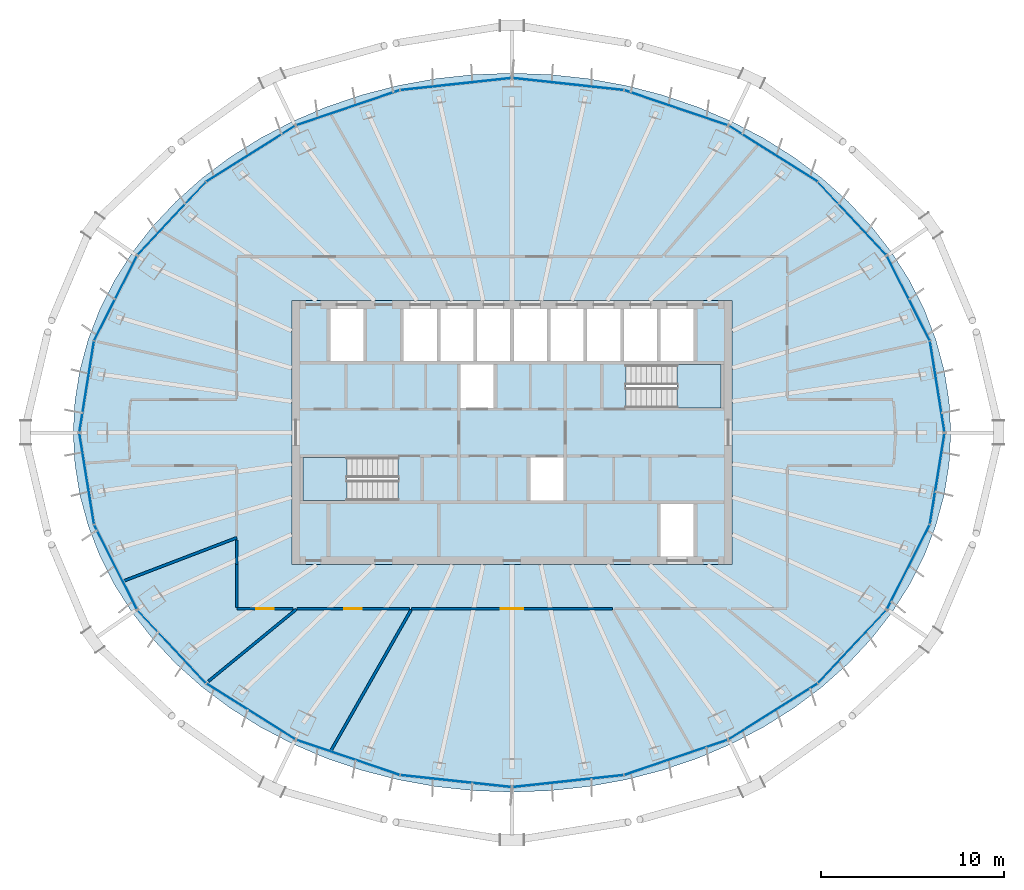
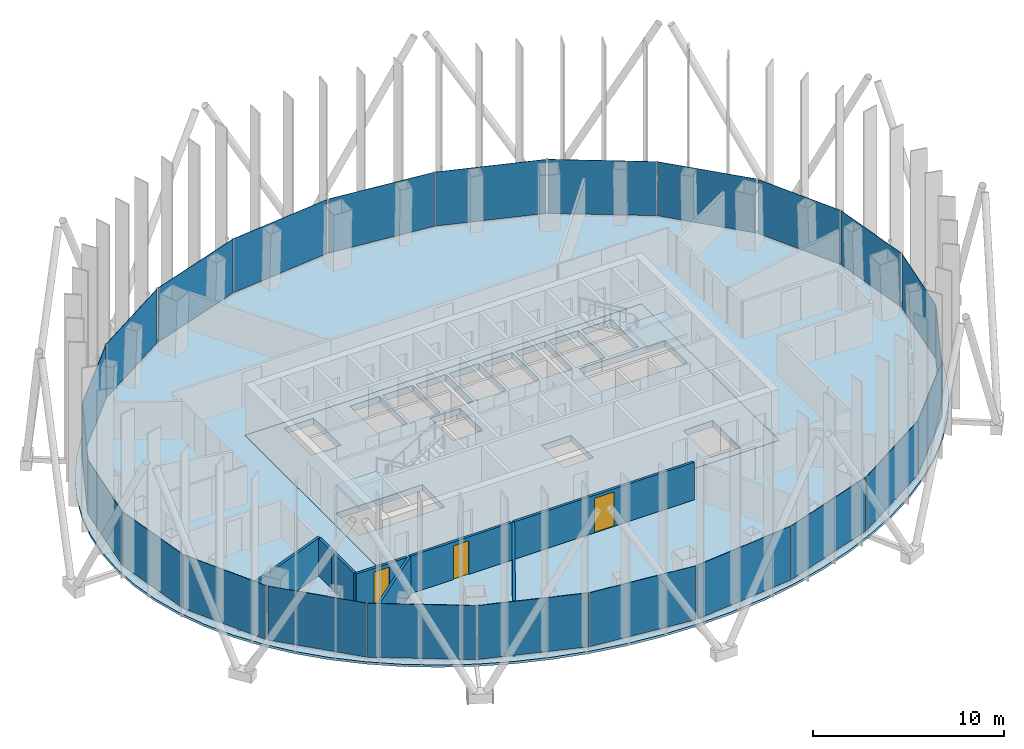
# One storey, part 8 of 19: 24 plates, 8 walls, 4 slabs, 3 doors, 3 openings, 14 elements without a shape of their own.
"""IFC4 building model written with IfcOpenShell, lengths in metres."""

from ifc_helpers import new_model, si_unit, direction, frame, frame_2d, origin, origin_2d, place, context, subcontext, project, spatial, polyline, rectangle, outline, extrude, material, layer, layer_set, type_object, element, fill, aggregate, save


model = new_model("IFC4")

# Units and contexts
model_context = context("Model", 3, precision=1e-05, world=origin(), true_north=direction((0.0, 1.0)))
body_context = subcontext(model_context, "Body", "Model", "MODEL_VIEW")
ifc_project = project(units=[si_unit("LENGTHUNIT", "METRE"), si_unit("AREAUNIT", "SQUARE_METRE"), si_unit("VOLUMEUNIT", "CUBIC_METRE"), si_unit("PLANEANGLEUNIT", "RADIAN"), si_unit("MASSUNIT", "GRAM", prefix="KILO")], contexts=[model_context])

# Site, building, storey
site_placement = place(None, origin())
site = spatial("IfcSite", under=ifc_project, at=site_placement, CompositionType="ELEMENT")
building_placement = place(site_placement, origin())
building = spatial("IfcBuilding", under=site, at=building_placement, Name="Siaravel Broadcast Tower", CompositionType="ELEMENT")
storey_placement = place(building_placement, frame((0.0, 0.0, 168.199951171875)))
storey = spatial("IfcBuildingStorey", under=building, at=storey_placement, Name="L40", CompositionType="ELEMENT", Elevation=168.199951171875)

# Curtain wall, plates
ifc_material_1 = material(Name="Aluminium 6063-T6", Category="aluminium")
ifc_layer_1 = layer(ifc_material_1, 0.179931640625)
ifc_layer_set_1 = layer_set([ifc_layer_1], Name="Aluminium 6063-T6")
curtain_wall_type = type_object("IfcCurtainWallType", Name="Unitised curtain wall, zone 3", PredefinedType="NOTDEFINED", material=ifc_layer_set_1)
curtain_wall_1_placement = place(storey_placement, origin())
curtain_wall_1 = element("IfcCurtainWall", 1, at=curtain_wall_1_placement, inside=storey, type_object=curtain_wall_type, Name="L40 Unitised curtain wall, zone 3 01", PredefinedType="NOTDEFINED")
ifc_material_2 = material(Name="Tinted insulated glass", Category="glass")
ifc_layer_2 = layer(ifc_material_2, 0.028076171875)
ifc_layer_set_2 = layer_set([ifc_layer_2], Name="Tinted insulated glass")
plate_type = type_object("IfcPlateType", Name="CW-Z3 glass panel", PredefinedType="CURTAIN_PANEL", material=ifc_layer_set_2)
plate_1_placement = place(storey_placement, frame((23.17431640625, 2.5166015625, 0.10009765625), z_axis=(0.0, 0.0, 1.0), x_axis=(-0.15868563, 0.98732916, 0.0)))
plate_1 = element("IfcPlate", 2, at=plate_1_placement, type_object=plate_type, Name="CW-Z3 glass panel", PredefinedType="CURTAIN_PANEL", context=body_context, shape_type="SweptSolid", body=[
    extrude(rectangle(XDim=4.977783203125, YDim=0.028076171875, at=origin_2d()), origin(), (0.0, 0.0, 1.0), 3.449951171875),
])
plate_2_placement = place(storey_placement, frame((21.602783203125, 7.321044921875, 0.10009765625), z_axis=(0.0, 0.0, 1.0), x_axis=(-0.4512612, 0.892391915, 0.0)))
plate_2 = element("IfcPlate", 3, at=plate_2_placement, type_object=plate_type, Name="CW-Z3 glass panel", PredefinedType="CURTAIN_PANEL", context=body_context, shape_type="SweptSolid", body=[
    extrude(rectangle(XDim=5.133544921875, YDim=0.028076171875, at=origin_2d()), origin(), (0.0, 0.0, 1.0), 3.449951171875),
])
aggregate(curtain_wall_1, [plate_1, plate_2])

curtain_wall_2_placement = place(storey_placement, origin())
curtain_wall_2 = element("IfcCurtainWall", 4, at=curtain_wall_2_placement, inside=storey, type_object=curtain_wall_type, Name="L40 Unitised curtain wall, zone 3 02", PredefinedType="NOTDEFINED")
plate_3_placement = place(storey_placement, frame((18.532958984375, 11.6767578125, 0.10009765625), z_axis=(0.0, 0.0, 1.0), x_axis=(-0.683655498, 0.729804878, 0.0)))
plate_3 = element("IfcPlate", 5, at=plate_3_placement, type_object=plate_type, Name="CW-Z3 glass panel", PredefinedType="CURTAIN_PANEL", context=body_context, shape_type="SweptSolid", body=[
    extrude(rectangle(XDim=5.392822265625, YDim=0.028076171875, at=origin_2d()), origin(), (0.0, 0.0, 1.0), 3.449951171875),
])
plate_4_placement = place(storey_placement, frame((14.239990234375, 15.193115234375, 0.10009765625), z_axis=(0.0, 0.0, 1.0), x_axis=(-0.846650852, 0.532148789, 0.0)))
plate_4 = element("IfcPlate", 6, at=plate_4_placement, type_object=plate_type, Name="CW-Z3 glass panel", PredefinedType="CURTAIN_PANEL", context=body_context, shape_type="SweptSolid", body=[
    extrude(rectangle(XDim=5.677734375, YDim=0.028076171875, at=origin_2d()), origin(), (0.0, 0.0, 1.0), 3.449951171875),
])
aggregate(curtain_wall_2, [plate_3, plate_4])

curtain_wall_3_placement = place(storey_placement, origin())
curtain_wall_3 = element("IfcCurtainWall", 7, at=curtain_wall_3_placement, inside=storey, type_object=curtain_wall_type, Name="L40 Unitised curtain wall, zone 3 03", PredefinedType="NOTDEFINED")
plate_5_placement = place(storey_placement, frame((8.928955078125, 17.705078125, 0.10009765625), z_axis=(0.0, 0.0, 1.0), x_axis=(-0.946977364, 0.321300283, 0.0)))
plate_5 = element("IfcPlate", 8, at=plate_5_placement, type_object=plate_type, Name="CW-Z3 glass panel", PredefinedType="CURTAIN_PANEL", context=body_context, shape_type="SweptSolid", body=[
    extrude(rectangle(XDim=5.913818359375, YDim=0.028076171875, at=origin_2d()), origin(), (0.0, 0.0, 1.0), 3.449951171875),
])
plate_6_placement = place(storey_placement, frame((3.065185546875, 18.9921875, 0.10009765625), z_axis=(0.0, 0.0, 1.0), x_axis=(-0.994235605, 0.107217362, 0.0)))
plate_6 = element("IfcPlate", 9, at=plate_6_placement, type_object=plate_type, Name="CW-Z3 glass panel", PredefinedType="CURTAIN_PANEL", context=body_context, shape_type="SweptSolid", body=[
    extrude(rectangle(XDim=6.0458984375, YDim=0.028076171875, at=origin_2d()), origin(), (0.0, 0.0, 1.0), 3.449951171875),
])
aggregate(curtain_wall_3, [plate_5, plate_6])

curtain_wall_4_placement = place(storey_placement, origin())
curtain_wall_4 = element("IfcCurtainWall", 10, at=curtain_wall_4_placement, inside=storey, type_object=curtain_wall_type, Name="L40 Unitised curtain wall, zone 3 04", PredefinedType="NOTDEFINED")
plate_7_placement = place(storey_placement, frame((-3.065185546875, 18.9921875, 0.10009765625), z_axis=(0.0, 0.0, 1.0), x_axis=(-0.994235605, -0.107217362, 0.0)))
plate_7 = element("IfcPlate", 11, at=plate_7_placement, type_object=plate_type, Name="CW-Z3 glass panel", PredefinedType="CURTAIN_PANEL", context=body_context, shape_type="SweptSolid", body=[
    extrude(rectangle(XDim=6.0458984375, YDim=0.028076171875, at=origin_2d()), origin(), (0.0, 0.0, 1.0), 3.449951171875),
])
plate_8_placement = place(storey_placement, frame((-8.928955078125, 17.705078125, 0.10009765625), z_axis=(0.0, 0.0, 1.0), x_axis=(-0.946977364, -0.321300283, 0.0)))
plate_8 = element("IfcPlate", 12, at=plate_8_placement, type_object=plate_type, Name="CW-Z3 glass panel", PredefinedType="CURTAIN_PANEL", context=body_context, shape_type="SweptSolid", body=[
    extrude(rectangle(XDim=5.913818359375, YDim=0.028076171875, at=origin_2d()), origin(), (0.0, 0.0, 1.0), 3.449951171875),
])
aggregate(curtain_wall_4, [plate_7, plate_8])

curtain_wall_5_placement = place(storey_placement, origin())
curtain_wall_5 = element("IfcCurtainWall", 13, at=curtain_wall_5_placement, inside=storey, type_object=curtain_wall_type, Name="L40 Unitised curtain wall, zone 3 05", PredefinedType="NOTDEFINED")
plate_9_placement = place(storey_placement, frame((-14.239990234375, 15.193115234375, 0.10009765625), z_axis=(0.0, 0.0, 1.0), x_axis=(-0.846650852, -0.532148789, 0.0)))
plate_9 = element("IfcPlate", 14, at=plate_9_placement, type_object=plate_type, Name="CW-Z3 glass panel", PredefinedType="CURTAIN_PANEL", context=body_context, shape_type="SweptSolid", body=[
    extrude(rectangle(XDim=5.677734375, YDim=0.028076171875, at=origin_2d()), origin(), (0.0, 0.0, 1.0), 3.449951171875),
])
plate_10_placement = place(storey_placement, frame((-18.532958984375, 11.6767578125, 0.10009765625), z_axis=(0.0, 0.0, 1.0), x_axis=(-0.683655498, -0.729804878, 0.0)))
plate_10 = element("IfcPlate", 15, at=plate_10_placement, type_object=plate_type, Name="CW-Z3 glass panel", PredefinedType="CURTAIN_PANEL", context=body_context, shape_type="SweptSolid", body=[
    extrude(rectangle(XDim=5.392822265625, YDim=0.028076171875, at=origin_2d()), origin(), (0.0, 0.0, 1.0), 3.449951171875),
])
aggregate(curtain_wall_5, [plate_9, plate_10])

curtain_wall_6_placement = place(storey_placement, origin())
curtain_wall_6 = element("IfcCurtainWall", 16, at=curtain_wall_6_placement, inside=storey, type_object=curtain_wall_type, Name="L40 Unitised curtain wall, zone 3 06", PredefinedType="NOTDEFINED")
plate_11_placement = place(storey_placement, frame((-21.602783203125, 7.321044921875, 0.10009765625), z_axis=(0.0, 0.0, 1.0), x_axis=(-0.4512612, -0.892391915, 0.0)))
plate_11 = element("IfcPlate", 17, at=plate_11_placement, type_object=plate_type, Name="CW-Z3 glass panel", PredefinedType="CURTAIN_PANEL", context=body_context, shape_type="SweptSolid", body=[
    extrude(rectangle(XDim=5.133544921875, YDim=0.028076171875, at=origin_2d()), origin(), (0.0, 0.0, 1.0), 3.449951171875),
])
plate_12_placement = place(storey_placement, frame((-23.17431640625, 2.5166015625, 0.10009765625), z_axis=(0.0, 0.0, 1.0), x_axis=(-0.15868563, -0.98732916, 0.0)))
plate_12 = element("IfcPlate", 18, at=plate_12_placement, type_object=plate_type, Name="CW-Z3 glass panel", PredefinedType="CURTAIN_PANEL", context=body_context, shape_type="SweptSolid", body=[
    extrude(rectangle(XDim=4.977783203125, YDim=0.028076171875, at=origin_2d()), origin(), (0.0, 0.0, 1.0), 3.449951171875),
])
aggregate(curtain_wall_6, [plate_11, plate_12])

curtain_wall_7_placement = place(storey_placement, origin())
curtain_wall_7 = element("IfcCurtainWall", 19, at=curtain_wall_7_placement, inside=storey, type_object=curtain_wall_type, Name="L40 Unitised curtain wall, zone 3 07", PredefinedType="NOTDEFINED")
plate_13_placement = place(storey_placement, frame((-23.17431640625, -2.5166015625, 0.10009765625), z_axis=(0.0, 0.0, 1.0), x_axis=(0.15868563, -0.98732916, 0.0)))
plate_13 = element("IfcPlate", 20, at=plate_13_placement, type_object=plate_type, Name="CW-Z3 glass panel", PredefinedType="CURTAIN_PANEL", context=body_context, shape_type="SweptSolid", body=[
    extrude(rectangle(XDim=4.977783203125, YDim=0.028076171875, at=origin_2d()), origin(), (0.0, 0.0, 1.0), 3.449951171875),
])
plate_14_placement = place(storey_placement, frame((-21.602783203125, -7.321044921875, 0.10009765625), z_axis=(0.0, 0.0, 1.0), x_axis=(0.4512612, -0.892391915, 0.0)))
plate_14 = element("IfcPlate", 21, at=plate_14_placement, type_object=plate_type, Name="CW-Z3 glass panel", PredefinedType="CURTAIN_PANEL", context=body_context, shape_type="SweptSolid", body=[
    extrude(rectangle(XDim=5.133544921875, YDim=0.028076171875, at=origin_2d()), origin(), (0.0, 0.0, 1.0), 3.449951171875),
])
aggregate(curtain_wall_7, [plate_13, plate_14])

curtain_wall_8_placement = place(storey_placement, origin())
curtain_wall_8 = element("IfcCurtainWall", 22, at=curtain_wall_8_placement, inside=storey, type_object=curtain_wall_type, Name="L40 Unitised curtain wall, zone 3 08", PredefinedType="NOTDEFINED")
plate_15_placement = place(storey_placement, frame((-18.532958984375, -11.6767578125, 0.10009765625), z_axis=(0.0, 0.0, 1.0), x_axis=(0.683655498, -0.729804878, 0.0)))
plate_15 = element("IfcPlate", 23, at=plate_15_placement, type_object=plate_type, Name="CW-Z3 glass panel", PredefinedType="CURTAIN_PANEL", context=body_context, shape_type="SweptSolid", body=[
    extrude(rectangle(XDim=5.392822265625, YDim=0.028076171875, at=origin_2d()), origin(), (0.0, 0.0, 1.0), 3.449951171875),
])
plate_16_placement = place(storey_placement, frame((-14.239990234375, -15.193115234375, 0.10009765625), z_axis=(0.0, 0.0, 1.0), x_axis=(0.846650852, -0.532148789, 0.0)))
plate_16 = element("IfcPlate", 24, at=plate_16_placement, type_object=plate_type, Name="CW-Z3 glass panel", PredefinedType="CURTAIN_PANEL", context=body_context, shape_type="SweptSolid", body=[
    extrude(rectangle(XDim=5.677734375, YDim=0.028076171875, at=origin_2d()), origin(), (0.0, 0.0, 1.0), 3.449951171875),
])
aggregate(curtain_wall_8, [plate_15, plate_16])

curtain_wall_9_placement = place(storey_placement, origin())
curtain_wall_9 = element("IfcCurtainWall", 25, at=curtain_wall_9_placement, inside=storey, type_object=curtain_wall_type, Name="L40 Unitised curtain wall, zone 3 09", PredefinedType="NOTDEFINED")
plate_17_placement = place(storey_placement, frame((-8.928955078125, -17.705078125, 0.10009765625), z_axis=(0.0, 0.0, 1.0), x_axis=(0.946977364, -0.321300283, 0.0)))
plate_17 = element("IfcPlate", 26, at=plate_17_placement, type_object=plate_type, Name="CW-Z3 glass panel", PredefinedType="CURTAIN_PANEL", context=body_context, shape_type="SweptSolid", body=[
    extrude(rectangle(XDim=5.913818359375, YDim=0.028076171875, at=origin_2d()), origin(), (0.0, 0.0, 1.0), 3.449951171875),
])
plate_18_placement = place(storey_placement, frame((-3.065185546875, -18.9921875, 0.10009765625), z_axis=(0.0, 0.0, 1.0), x_axis=(0.994235605, -0.107217362, 0.0)))
plate_18 = element("IfcPlate", 27, at=plate_18_placement, type_object=plate_type, Name="CW-Z3 glass panel", PredefinedType="CURTAIN_PANEL", context=body_context, shape_type="SweptSolid", body=[
    extrude(rectangle(XDim=6.0458984375, YDim=0.028076171875, at=origin_2d()), origin(), (0.0, 0.0, 1.0), 3.449951171875),
])
aggregate(curtain_wall_9, [plate_17, plate_18])

curtain_wall_10_placement = place(storey_placement, origin())
curtain_wall_10 = element("IfcCurtainWall", 28, at=curtain_wall_10_placement, inside=storey, type_object=curtain_wall_type, Name="L40 Unitised curtain wall, zone 3 10", PredefinedType="NOTDEFINED")
plate_19_placement = place(storey_placement, frame((3.065185546875, -18.9921875, 0.10009765625), z_axis=(0.0, 0.0, 1.0), x_axis=(0.994235605, 0.107217362, 0.0)))
plate_19 = element("IfcPlate", 29, at=plate_19_placement, type_object=plate_type, Name="CW-Z3 glass panel", PredefinedType="CURTAIN_PANEL", context=body_context, shape_type="SweptSolid", body=[
    extrude(rectangle(XDim=6.0458984375, YDim=0.028076171875, at=origin_2d()), origin(), (0.0, 0.0, 1.0), 3.449951171875),
])
plate_20_placement = place(storey_placement, frame((8.928955078125, -17.705078125, 0.10009765625), z_axis=(0.0, 0.0, 1.0), x_axis=(0.946977364, 0.321300283, 0.0)))
plate_20 = element("IfcPlate", 30, at=plate_20_placement, type_object=plate_type, Name="CW-Z3 glass panel", PredefinedType="CURTAIN_PANEL", context=body_context, shape_type="SweptSolid", body=[
    extrude(rectangle(XDim=5.913818359375, YDim=0.028076171875, at=origin_2d()), origin(), (0.0, 0.0, 1.0), 3.449951171875),
])
aggregate(curtain_wall_10, [plate_19, plate_20])

curtain_wall_11_placement = place(storey_placement, origin())
curtain_wall_11 = element("IfcCurtainWall", 31, at=curtain_wall_11_placement, inside=storey, type_object=curtain_wall_type, Name="L40 Unitised curtain wall, zone 3 11", PredefinedType="NOTDEFINED")
plate_21_placement = place(storey_placement, frame((14.239990234375, -15.193115234375, 0.10009765625), z_axis=(0.0, 0.0, 1.0), x_axis=(0.846650852, 0.532148789, 0.0)))
plate_21 = element("IfcPlate", 32, at=plate_21_placement, type_object=plate_type, Name="CW-Z3 glass panel", PredefinedType="CURTAIN_PANEL", context=body_context, shape_type="SweptSolid", body=[
    extrude(rectangle(XDim=5.677734375, YDim=0.028076171875, at=origin_2d()), origin(), (0.0, 0.0, 1.0), 3.449951171875),
])
plate_22_placement = place(storey_placement, frame((18.532958984375, -11.6767578125, 0.10009765625), z_axis=(0.0, 0.0, 1.0), x_axis=(0.683655498, 0.729804878, 0.0)))
plate_22 = element("IfcPlate", 33, at=plate_22_placement, type_object=plate_type, Name="CW-Z3 glass panel", PredefinedType="CURTAIN_PANEL", context=body_context, shape_type="SweptSolid", body=[
    extrude(rectangle(XDim=5.392822265625, YDim=0.028076171875, at=origin_2d()), origin(), (0.0, 0.0, 1.0), 3.449951171875),
])
aggregate(curtain_wall_11, [plate_21, plate_22])

curtain_wall_12_placement = place(storey_placement, origin())
curtain_wall_12 = element("IfcCurtainWall", 34, at=curtain_wall_12_placement, inside=storey, type_object=curtain_wall_type, Name="L40 Unitised curtain wall, zone 3 12", PredefinedType="NOTDEFINED")
plate_23_placement = place(storey_placement, frame((21.602783203125, -7.321044921875, 0.10009765625), z_axis=(0.0, 0.0, 1.0), x_axis=(0.4512612, 0.892391915, 0.0)))
plate_23 = element("IfcPlate", 35, at=plate_23_placement, type_object=plate_type, Name="CW-Z3 glass panel", PredefinedType="CURTAIN_PANEL", context=body_context, shape_type="SweptSolid", body=[
    extrude(rectangle(XDim=5.133544921875, YDim=0.028076171875, at=origin_2d()), origin(), (0.0, 0.0, 1.0), 3.449951171875),
])
plate_24_placement = place(storey_placement, frame((23.17431640625, -2.5166015625, 0.10009765625), z_axis=(0.0, 0.0, 1.0), x_axis=(0.15868563, 0.98732916, 0.0)))
plate_24 = element("IfcPlate", 36, at=plate_24_placement, type_object=plate_type, Name="CW-Z3 glass panel", PredefinedType="CURTAIN_PANEL", context=body_context, shape_type="SweptSolid", body=[
    extrude(rectangle(XDim=4.977783203125, YDim=0.028076171875, at=origin_2d()), origin(), (0.0, 0.0, 1.0), 3.449951171875),
])
aggregate(curtain_wall_12, [plate_23, plate_24])

# Slabs
ifc_material_3 = material(Name="Concrete C40/50", Category="concrete")
ifc_layer_3 = layer(ifc_material_3, 0.39990234375)
ifc_layer_set_3 = layer_set([ifc_layer_3], Name="Concrete C40/50")
slab_type_1 = type_object("IfcSlabType", Name="Core floor slab 400", PredefinedType="FLOOR", material=ifc_layer_set_3)
slab_1_placement = place(storey_placement, frame((0.0, 0.0, -0.39990234375)))
element("IfcSlab", 37, at=slab_1_placement, inside=storey, type_object=slab_type_1, Name="L40 core floor", PredefinedType="FLOOR", context=body_context, shape_type="SweptSolid", body=[
    extrude(outline(polyline([(-12.0, -7.199951171875), (-12.0, 7.199951171875), (12.0, 7.199951171875), (12.0, -7.199951171875), (-12.0, -7.199951171875)]), holes=[polyline([(11.3994140625, 1.3505859375), (11.3994140625, 3.699462890625), (6.200439453125, 3.699462890625), (6.200439453125, 1.3505859375), (11.3994140625, 1.3505859375)]), polyline([(8.10009765625, -3.89990234375), (8.10009765625, -6.75), (9.89990234375, -6.75), (9.89990234375, -3.89990234375), (8.10009765625, -3.89990234375)]), polyline([(9.89990234375, 6.75), (8.10009765625, 6.75), (8.10009765625, 3.89990234375), (9.89990234375, 3.89990234375), (9.89990234375, 6.75)]), polyline([(7.89990234375, 6.75), (6.10009765625, 6.75), (6.10009765625, 3.89990234375), (7.89990234375, 3.89990234375), (7.89990234375, 6.75)]), polyline([(5.89990234375, 6.75), (4.10009765625, 6.75), (4.10009765625, 3.89990234375), (5.89990234375, 3.89990234375), (5.89990234375, 6.75)]), polyline([(3.89990234375, 6.75), (2.10009765625, 6.75), (2.10009765625, 3.89990234375), (3.89990234375, 3.89990234375), (3.89990234375, 6.75)]), polyline([(2.800048828125, -1.35009765625), (1.0, -1.35009765625), (1.0, -3.699951171875), (2.800048828125, -3.699951171875), (2.800048828125, -1.35009765625)]), polyline([(1.89990234375, 6.75), (0.10009765625, 6.75), (0.10009765625, 3.89990234375), (1.89990234375, 3.89990234375), (1.89990234375, 6.75)]), polyline([(-0.10009765625, 6.75), (-1.89990234375, 6.75), (-1.89990234375, 3.89990234375), (-0.10009765625, 3.89990234375), (-0.10009765625, 6.75)]), polyline([(-1.0, 3.699951171875), (-2.800048828125, 3.699951171875), (-2.800048828125, 1.35009765625), (-1.0, 1.35009765625), (-1.0, 3.699951171875)]), polyline([(-2.10009765625, 6.75), (-3.89990234375, 6.75), (-3.89990234375, 3.89990234375), (-2.10009765625, 3.89990234375), (-2.10009765625, 6.75)]), polyline([(-4.10009765625, 6.75), (-5.89990234375, 6.75), (-5.89990234375, 3.89990234375), (-4.10009765625, 3.89990234375), (-4.10009765625, 6.75)]), polyline([(-11.3994140625, -3.699462890625), (-6.200439453125, -3.699462890625), (-6.200439453125, -1.3505859375), (-11.3994140625, -1.3505859375), (-11.3994140625, -3.699462890625)]), polyline([(-8.10009765625, 6.75), (-9.89990234375, 6.75), (-9.89990234375, 3.89990234375), (-8.10009765625, 3.89990234375), (-8.10009765625, 6.75)])]), origin(), (0.0, 0.0, 1.0), 0.39990234375),
])
ifc_layer_4 = layer(ifc_material_3, 0.14990234375)
ifc_layer_set_4 = layer_set([ifc_layer_4], Name="Concrete C40/50")
slab_type_2 = type_object("IfcSlabType", Name="SLB-FLOOR-150", PredefinedType="FLOOR", material=ifc_layer_set_4)
slab_2_placement = place(storey_placement, frame((0.0, 0.0, -0.14990234375)))
element("IfcSlab", 38, at=slab_2_placement, inside=storey, type_object=slab_type_2, Name="Floor slab", PredefinedType="FLOOR", context=body_context, shape_type="SweptSolid", body=[
    extrude(outline(polyline([(23.912841796875, 0.0), (23.82177734375, 1.70703125), (23.549560546875, 3.4013671875), (23.097900390625, 5.069580078125), (22.470703125, 6.69921875), (21.67236328125, 8.278076171875), (20.708984375, 9.793701171875), (19.588134765625, 11.23486328125), (18.318359375, 12.590576171875), (16.908935546875, 13.850341796875), (15.370849609375, 15.004638671875), (13.7158203125, 16.044921875), (11.956298828125, 16.963134765625), (10.10595703125, 17.752197265625), (8.1787109375, 18.406005859375), (6.189208984375, 18.919921875), (4.15234375, 19.289794921875), (2.083984375, 19.5126953125), (0.0, 19.58740234375), (-2.083984375, 19.5126953125), (-4.15234375, 19.289794921875), (-6.189208984375, 18.919921875), (-8.1787109375, 18.406005859375), (-10.10595703125, 17.752197265625), (-11.956298828125, 16.963134765625), (-13.7158203125, 16.044921875), (-15.370849609375, 15.004638671875), (-16.908935546875, 13.850341796875), (-18.318359375, 12.590576171875), (-19.588134765625, 11.23486328125), (-20.708984375, 9.793701171875), (-21.67236328125, 8.278076171875), (-22.470703125, 6.69921875), (-23.097900390625, 5.069580078125), (-23.549560546875, 3.4013671875), (-23.82177734375, 1.70703125), (-23.912841796875, 0.0), (-23.82177734375, -1.70703125), (-23.549560546875, -3.4013671875), (-23.097900390625, -5.069580078125), (-22.470703125, -6.69921875), (-21.67236328125, -8.278076171875), (-20.708984375, -9.793701171875), (-19.588134765625, -11.23486328125), (-18.318359375, -12.590576171875), (-16.908935546875, -13.850341796875), (-15.370849609375, -15.004638671875), (-13.7158203125, -16.044921875), (-11.956298828125, -16.963134765625), (-10.10595703125, -17.752197265625), (-8.1787109375, -18.406005859375), (-6.189208984375, -18.919921875), (-4.15234375, -19.289794921875), (-2.083984375, -19.5126953125), (0.0, -19.58740234375), (2.083984375, -19.5126953125), (4.15234375, -19.289794921875), (6.189208984375, -18.919921875), (8.1787109375, -18.406005859375), (10.10595703125, -17.752197265625), (11.956298828125, -16.963134765625), (13.7158203125, -16.044921875), (15.370849609375, -15.004638671875), (16.908935546875, -13.850341796875), (18.318359375, -12.590576171875), (19.588134765625, -11.23486328125), (20.708984375, -9.793701171875), (21.67236328125, -8.278076171875), (22.470703125, -6.69921875), (23.097900390625, -5.069580078125), (23.549560546875, -3.4013671875), (23.82177734375, -1.70703125), (23.912841796875, 0.0)]), holes=[polyline([(-12.0, 7.199951171875), (12.0, 7.199951171875), (12.0, -7.199951171875), (-12.0, -7.199951171875), (-12.0, 7.199951171875)])]), origin(), (0.0, 0.0, 1.0), 0.14990234375),
])

# Stair, slab
stair_type = type_object("IfcStairType", Name="Core exit stair", PredefinedType="HALF_TURN_STAIR", material=ifc_material_3)
stair_1_placement = place(storey_placement, origin())
stair_1 = element("IfcStair", 39, at=stair_1_placement, inside=storey, type_object=stair_type, Name="L40 Exit stair ST-1", PredefinedType="HALF_TURN_STAIR")
ifc_layer_5 = layer(ifc_material_3, 0.199951171875)
ifc_layer_set_5 = layer_set([ifc_layer_5], Name="Concrete C40/50")
slab_type_3 = type_object("IfcSlabType", Name="Stair landing", PredefinedType="LANDING", material=ifc_layer_set_5)
slab_3_placement = place(storey_placement, frame((0.0, 0.0, 1.650146484375)))
slab_3 = element("IfcSlab", 40, at=slab_3_placement, type_object=slab_type_3, Name="ST-1 landing 1", PredefinedType="LANDING", context=body_context, shape_type="SweptSolid", body=[
    extrude(outline(polyline([(-9.0, -1.35009765625), (-11.39990234375, -1.35009765625), (-11.39990234375, -3.699951171875), (-9.0, -3.699951171875), (-9.0, -1.35009765625)])), origin(), (0.0, 0.0, 1.0), 0.199951171875),
])
aggregate(stair_1, [slab_3])

stair_2_placement = place(storey_placement, origin())
stair_2 = element("IfcStair", 41, at=stair_2_placement, inside=storey, type_object=stair_type, Name="L40 Exit stair ST-2", PredefinedType="HALF_TURN_STAIR")
slab_4_placement = place(storey_placement, frame((0.0, 0.0, 1.650146484375)))
slab_4 = element("IfcSlab", 42, at=slab_4_placement, type_object=slab_type_3, Name="ST-2 landing 1", PredefinedType="LANDING", context=body_context, shape_type="SweptSolid", body=[
    extrude(outline(polyline([(9.0, 1.35009765625), (11.39990234375, 1.35009765625), (11.39990234375, 3.699951171875), (9.0, 3.699951171875), (9.0, 1.35009765625)])), origin(), (0.0, 0.0, 1.0), 0.199951171875),
])
aggregate(stair_2, [slab_4])

# Wall, opening, door
ifc_material_4 = material(Name="Gypsum board partition", Category="gypsum")
ifc_layer_6 = layer(ifc_material_4, 0.14990234375)
ifc_layer_set_6 = layer_set([ifc_layer_6], Name="Gypsum board partition")
wall_type_1 = type_object("IfcWallType", Name="Corridor wall 150", PredefinedType="PARTITIONING", material=ifc_layer_set_6)
wall_1_placement = place(storey_placement, frame((-5.465087890625, -9.60009765625, 0.0), z_axis=(0.0, 0.0, 1.0), x_axis=(1.0, 0.0, 0.0)))
wall_1 = element("IfcWall", 43, at=wall_1_placement, inside=storey, type_object=wall_type_1, Name="L40 partition 2", PredefinedType="PARTITIONING", context=body_context, shape_type="SweptSolid", body=[
    extrude(rectangle(XDim=10.93017578125, YDim=0.14990234375, at=frame_2d((5.465087890625, 0.0))), origin(), (0.0, 0.0, 1.0), 2.400146484375),
])
opening_1_placement = place(wall_1_placement, frame((4.865234375, 0.0, 0.0)))
opening_1 = element("IfcOpeningElement", 44, at=opening_1_placement, cuts=wall_1, Name="Opening L40-002", PredefinedType="OPENING", context=body_context, shape_type="SweptSolid", body=[
    extrude(rectangle(XDim=1.199951171875, YDim=2.199951171875, at=frame_2d((0.60009765625, 1.10009765625))), frame((0.0, 0.0849609375, 0.0), z_axis=(0.0, -1.0, 0.0), x_axis=(1.0, 0.0, 0.0)), (0.0, 0.0, 1.0), 0.169921875),
])
ifc_material_5 = material(Name="Timber veneer", Category="wood")
door_type_1 = type_object("IfcDoorType", Name="Office double door 1200", OperationType="DOUBLE_DOOR_SINGLE_SWING", PredefinedType="DOOR", material=ifc_material_5)
door_1_placement = place(opening_1_placement, origin())
door_1 = element("IfcDoor", 45, at=door_1_placement, inside=storey, type_object=door_type_1, Name="L40 door to Open plan office", OperationType="DOUBLE_DOOR_SINGLE_SWING", OverallHeight=2.199951171875, OverallWidth=1.199951171875, PredefinedType="DOOR", context=body_context, shape_type="SweptSolid", body=[
    extrude(rectangle(XDim=1.199951171875, YDim=2.199951171875, at=frame_2d((0.60009765625, 1.10009765625))), frame((0.0, 0.02490234375, 0.0), z_axis=(0.0, -1.0, 0.0), x_axis=(1.0, 0.0, 0.0)), (0.0, 0.0, 1.0), 0.050048828125),
])
fill(opening_1, door_1)

wall_2_placement = place(storey_placement, frame((-11.719970703125, -9.60009765625, 0.0), z_axis=(0.0, 0.0, 1.0), x_axis=(1.0, 0.0, 0.0)))
wall_2 = element("IfcWall", 46, at=wall_2_placement, inside=storey, type_object=wall_type_1, Name="L40 partition 12", PredefinedType="PARTITIONING", context=body_context, shape_type="SweptSolid", body=[
    extrude(rectangle(XDim=6.123779296875, YDim=0.14990234375, at=frame_2d((3.06201171875, 0.0))), origin(), (0.0, 0.0, 1.0), 2.400146484375),
])
opening_2_placement = place(wall_2_placement, frame((2.5869140625, 0.0, 0.0)))
opening_2 = element("IfcOpeningElement", 47, at=opening_2_placement, cuts=wall_2, Name="Opening L40-001", PredefinedType="OPENING", context=body_context, shape_type="SweptSolid", body=[
    extrude(rectangle(XDim=0.949951171875, YDim=2.14990234375, at=frame_2d((0.47509765625, 1.074951171875))), frame((0.0, 0.0849609375, 0.0), z_axis=(0.0, -1.0, 0.0), x_axis=(1.0, 0.0, 0.0)), (0.0, 0.0, 1.0), 0.169921875),
])
door_type_2 = type_object("IfcDoorType", Name="Office door 950", OperationType="SINGLE_SWING_LEFT", PredefinedType="DOOR", material=ifc_material_5)
door_2_placement = place(opening_2_placement, origin())
door_2 = element("IfcDoor", 48, at=door_2_placement, inside=storey, type_object=door_type_2, Name="L40 door to Office", OperationType="SINGLE_SWING_LEFT", OverallHeight=2.14990234375, OverallWidth=0.949951171875, PredefinedType="DOOR", context=body_context, shape_type="SweptSolid", body=[
    extrude(rectangle(XDim=0.949951171875, YDim=2.14990234375, at=frame_2d((0.47509765625, 1.074951171875))), frame((0.0, 0.02490234375, 0.0), z_axis=(0.0, -1.0, 0.0), x_axis=(1.0, 0.0, 0.0)), (0.0, 0.0, 1.0), 0.050048828125),
])
fill(opening_2, door_2)

wall_3_placement = place(storey_placement, frame((-15.0, -9.60009765625, 0.0), z_axis=(0.0, 0.0, 1.0), x_axis=(1.0, 0.0, 0.0)))
wall_3 = element("IfcWall", 49, at=wall_3_placement, inside=storey, type_object=wall_type_1, Name="L40 partition 26", PredefinedType="PARTITIONING", context=body_context, shape_type="SweptSolid", body=[
    extrude(rectangle(XDim=3.068115234375, YDim=0.14990234375, at=frame_2d((1.5341796875, 0.0))), origin(), (0.0, 0.0, 1.0), 2.400146484375),
])
opening_3_placement = place(wall_3_placement, frame((1.05908203125, 0.0, 0.0)))
opening_3 = element("IfcOpeningElement", 50, at=opening_3_placement, cuts=wall_3, Name="Opening L40-013", PredefinedType="OPENING", context=body_context, shape_type="SweptSolid", body=[
    extrude(rectangle(XDim=0.949951171875, YDim=2.14990234375, at=frame_2d((0.47509765625, 1.074951171875))), frame((0.0, 0.0849609375, 0.0), z_axis=(0.0, -1.0, 0.0), x_axis=(1.0, 0.0, 0.0)), (0.0, 0.0, 1.0), 0.169921875),
])
door_3_placement = place(opening_3_placement, origin())
door_3 = element("IfcDoor", 51, at=door_3_placement, inside=storey, type_object=door_type_2, Name="L40 door to Reception", OperationType="SINGLE_SWING_LEFT", OverallHeight=2.14990234375, OverallWidth=0.949951171875, PredefinedType="DOOR", context=body_context, shape_type="SweptSolid", body=[
    extrude(rectangle(XDim=0.949951171875, YDim=2.14990234375, at=frame_2d((0.47509765625, 1.074951171875))), frame((0.0, 0.02490234375, 0.0), z_axis=(0.0, -1.0, 0.0), x_axis=(1.0, 0.0, 0.0)), (0.0, 0.0, 1.0), 0.050048828125),
])
fill(opening_3, door_3)

# Walls
wall_4_placement = place(storey_placement, frame((-15.0, -7.18798828125, 0.0), z_axis=(0.0, 0.0, 1.0), x_axis=(0.0, -1.0, 0.0)))
element("IfcWall", 52, at=wall_4_placement, inside=storey, type_object=wall_type_1, Name="L40 partition 29", PredefinedType="PARTITIONING", context=body_context, shape_type="SweptSolid", body=[
    extrude(rectangle(XDim=2.3349609375, YDim=0.14990234375, at=frame_2d((1.16748046875, 0.0))), origin(), (0.0, 0.0, 1.0), 2.400146484375),
])
wall_5_placement = place(storey_placement, frame((-15.0, -5.84033203125, 0.0), z_axis=(0.0, 0.0, 1.0), x_axis=(0.0, -1.0, 0.0)))
element("IfcWall", 53, at=wall_5_placement, inside=storey, type_object=wall_type_1, Name="L40 partition 34", PredefinedType="PARTITIONING", context=body_context, shape_type="SweptSolid", body=[
    extrude(rectangle(XDim=1.3466796875, YDim=0.14990234375, at=frame_2d((0.67333984375, 0.0))), origin(), (0.0, 0.0, 1.0), 2.400146484375),
])
ifc_layer_7 = layer(ifc_material_4, 0.14990234375)
ifc_layer_set_7 = layer_set([ifc_layer_7], Name="Gypsum board partition")
wall_type_2 = type_object("IfcWallType", Name="Room partition 150", PredefinedType="PARTITIONING", material=ifc_layer_set_7)
wall_6_placement = place(storey_placement, frame((-9.88330078125, -17.360595703125, 0.0), z_axis=(0.0, 0.0, 1.0), x_axis=(0.494758879, 0.869030294, 0.0)))
element("IfcWall", 54, at=wall_6_placement, inside=storey, type_object=wall_type_2, Name="L40 partition 5", PredefinedType="PARTITIONING", context=body_context, shape_type="SweptSolid", body=[
    extrude(rectangle(XDim=8.863037109375, YDim=0.14990234375, at=frame_2d((4.431640625, 0.0))), origin(), (0.0, 0.0, 1.0), 2.400146484375),
])
wall_7_placement = place(storey_placement, frame((-21.2099609375, -8.101318359375, 0.0), z_axis=(0.0, 0.0, 1.0), x_axis=(0.934180775, 0.356800056, 0.0)))
element("IfcWall", 55, at=wall_7_placement, inside=storey, type_object=wall_type_2, Name="L40 partition 11", PredefinedType="PARTITIONING", context=body_context, shape_type="SweptSolid", body=[
    extrude(rectangle(XDim=6.6474609375, YDim=0.14990234375, at=frame_2d((3.32373046875, 0.0))), origin(), (0.0, 0.0, 1.0), 2.400146484375),
])
wall_8_placement = place(storey_placement, frame((-11.75830078125, -9.63134765625, 0.0), z_axis=(0.0, 0.0, 1.0), x_axis=(-0.773616024, -0.633654676, 0.0)))
element("IfcWall", 56, at=wall_8_placement, inside=storey, type_object=wall_type_2, Name="L40 partition 14", PredefinedType="PARTITIONING", context=body_context, shape_type="SweptSolid", body=[
    extrude(rectangle(XDim=6.185546875, YDim=0.14990234375, at=frame_2d((3.0927734375, 0.0))), origin(), (0.0, 0.0, 1.0), 2.400146484375),
])

save(model, "model.ifc")
